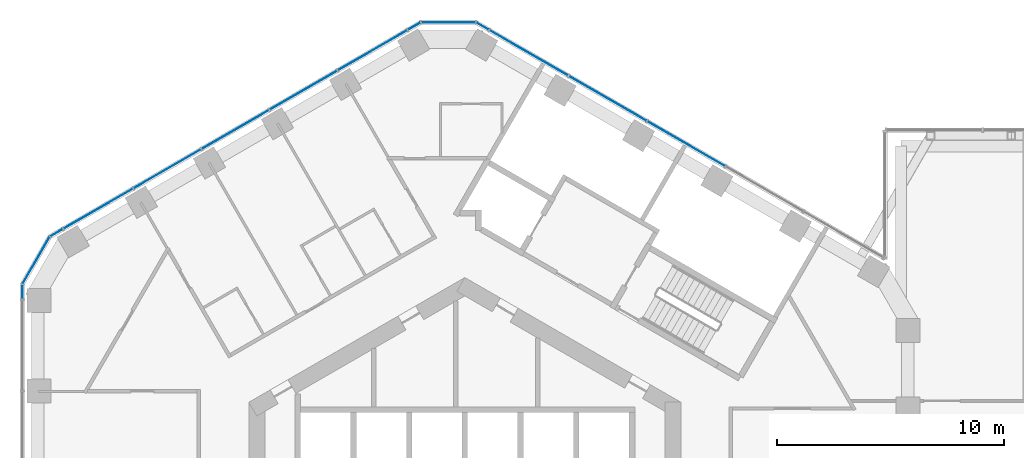
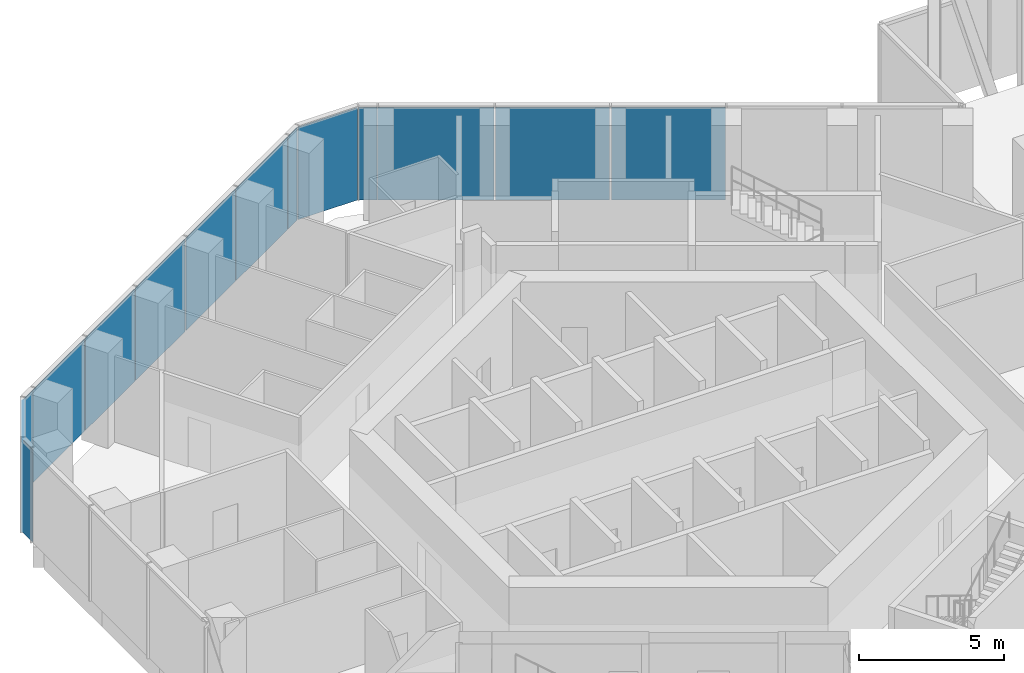
# One storey, part 16 of 24: 14 plates, 4 elements without a shape of their own.
"""IFC4 building model written with IfcOpenShell, lengths in metres."""

import ifcopenshell
import ifcopenshell.guid

model = None  # the IFC model being written
_history = None  # IfcOwnerHistory: only IFC2X3 demands one
_inside = {}  # id of a spatial element -> (the spatial element, [elements in it])
_under = {}  # id of a project, library or spatial element -> (it, [spatial elements below it])
_declared = {}  # id of a project -> (the project, [libraries it declares])
_typed = {}  # id of a type object -> (the type object, [elements of that type])
_made_of = {}  # id of a material, layer set ... -> (it, [elements and type objects made of it])


def new_model(schema):
    """Start an empty IFC model of exactly this schema.

    Asked for "IFC4X3", IfcOpenShell would pick the latest addendum, in which some entities
    have other attributes; the version numbers below select the first issue.
    IFC2X3 requires an IfcOwnerHistory on every rooted entity: one is made here for all.
    """
    global model, _history
    if schema == "IFC4X3":
        model = ifcopenshell.file(schema_version=(4, 3, 0, 0))
    else:
        model = ifcopenshell.file(schema=schema)
    _inside.clear()
    _under.clear()
    _declared.clear()
    _typed.clear()
    _made_of.clear()
    _history = None
    if model.schema == "IFC2X3":
        org = make("IfcOrganization", Name="unknown")
        user = make(
            "IfcPersonAndOrganization",
            ThePerson=make("IfcPerson", FamilyName="unknown"),
            TheOrganization=org,
        )
        app = make(
            "IfcApplication",
            ApplicationDeveloper=org,
            Version="unknown",
            ApplicationFullName="unknown",
            ApplicationIdentifier="unknown",
        )
        _history = make(
            "IfcOwnerHistory",
            OwningUser=user,
            OwningApplication=app,
            ChangeAction="ADDED",
            CreationDate=0,
        )
    return model


def make(cls, **values):
    """One entity of the class cls with the attributes given. An attribute that is None is left unset."""
    return model.create_entity(
        cls, **{name: value for name, value in values.items() if value is not None}
    )


def rooted(cls, **values):
    """An entity with a GlobalId (a new one), such as an element, a storey or a relation."""
    return make(cls, GlobalId=ifcopenshell.guid.new(), OwnerHistory=_history, **values)


def si_unit(unit_type, name, prefix=None):
    """IfcSIUnit, for example si_unit("LENGTHUNIT", "METRE", prefix="MILLI")."""
    return make("IfcSIUnit", UnitType=unit_type, Prefix=prefix, Name=name)


def assignment(units):
    """IfcUnitAssignment: the units of a project."""
    return None if units is None else make("IfcUnitAssignment", Units=units)


def point(xyz):
    """IfcCartesianPoint."""
    return None if xyz is None else make("IfcCartesianPoint", Coordinates=xyz)


def direction(xyz):
    """IfcDirection."""
    return None if xyz is None else make("IfcDirection", DirectionRatios=xyz)


def frame(location, z_axis=None, x_axis=None):
    """IfcAxis2Placement3D, a coordinate frame: its origin and axes. An axis left out is left unset."""
    return make(
        "IfcAxis2Placement3D",
        Location=point(location),
        Axis=direction(z_axis),
        RefDirection=direction(x_axis),
    )


def frame_2d(location, x_axis=None):
    """IfcAxis2Placement2D, a coordinate frame in the plane: its origin and x axis."""
    return make(
        "IfcAxis2Placement2D", Location=point(location), RefDirection=direction(x_axis)
    )


def origin():
    """The frame at (0, 0, 0) with its axes left unset."""
    return frame((0.0, 0.0, 0.0))


def origin_2d():
    """The frame at (0, 0) in the plane with its x axis left unset."""
    return frame_2d((0.0, 0.0))


def place(relative_to, where):
    """IfcLocalPlacement: puts the frame where relative to a parent placement (None: the world)."""
    return make(
        "IfcLocalPlacement", PlacementRelTo=relative_to, RelativePlacement=where
    )


def context(
    kind, dimensions, precision=None, world=None, true_north=None, identifier=None
):
    """IfcGeometricRepresentationContext, for example the 3D "Model" context."""
    return make(
        "IfcGeometricRepresentationContext",
        ContextIdentifier=identifier,
        ContextType=kind,
        CoordinateSpaceDimension=dimensions,
        Precision=precision,
        WorldCoordinateSystem=world,
        TrueNorth=true_north,
    )


def subcontext(parent, identifier, kind, view, scale=None):
    """IfcGeometricRepresentationSubContext, for example "Body" below "Model"."""
    return make(
        "IfcGeometricRepresentationSubContext",
        ContextIdentifier=identifier,
        ContextType=kind,
        ParentContext=parent,
        TargetScale=scale,
        TargetView=view,
    )


def project(units=None, contexts=None):
    """IfcProject with its units and contexts."""
    return rooted(
        "IfcProject",
        Name="project",
        RepresentationContexts=contexts,
        UnitsInContext=assignment(units),
    )


def spatial(cls, under=None, at=None, **own):
    """A site, building, storey or space (cls), placed at a placement, below another one or the project."""
    s = rooted(cls, ObjectPlacement=at, **own)
    if under is not None:
        _under.setdefault(under.id(), (under, []))[1].append(s)
    return s


def profile(cls, at=None, kind="AREA", **sizes):
    """A parametric profile (cls). Its sizes go by their IFC names, for example OverallWidth=200.0."""
    return make(cls, ProfileType=kind, Position=at, **sizes)


def rectangle(**sizes):
    """IfcRectangleProfileDef."""
    return profile("IfcRectangleProfileDef", **sizes)


def extrude(swept, where, along, depth):
    """IfcExtrudedAreaSolid: the profile swept, set in the frame where, extruded along a direction by depth."""
    return make(
        "IfcExtrudedAreaSolid",
        SweptArea=swept,
        Position=where,
        ExtrudedDirection=direction(along),
        Depth=depth,
    )


def shape(context_of_items, identifier, shape_type, items):
    """IfcShapeRepresentation: the items that make up one representation, for example the "Body"."""
    return make(
        "IfcShapeRepresentation",
        ContextOfItems=context_of_items,
        RepresentationIdentifier=identifier,
        RepresentationType=shape_type,
        Items=items,
    )


def material(Name=None, Category=None):
    """IfcMaterial."""
    return make("IfcMaterial", Name=Name, Category=Category)


def layer(
    of_material, thickness, ventilated=None, Name=None, Category=None, Priority=None
):
    """IfcMaterialLayer: one layer of a wall or slab, of a material (None: an air gap)."""
    return make(
        "IfcMaterialLayer",
        Material=of_material,
        LayerThickness=thickness,
        IsVentilated=ventilated,
        Name=Name,
        Category=Category,
        Priority=Priority,
    )


def layer_set(layers, Name=None):
    """IfcMaterialLayerSet."""
    return make("IfcMaterialLayerSet", MaterialLayers=layers, LayerSetName=Name)


def made_of(thing, what):
    """Note that an element or type object is made of a material, layer set ...; save() writes the relation."""
    if what is not None:
        _made_of.setdefault(what.id(), (what, []))[1].append(thing)
    return thing


def type_object(cls, material=None, **own):
    """A type object (cls), such as IfcWallType, which elements share."""
    return made_of(rooted(cls, **own), material)


def element(
    cls,
    number,
    at=None,
    inside=None,
    cuts=None,
    type_object=None,
    material=None,
    context=None,
    identifier="Body",
    shape_type=None,
    held_by="IfcProductDefinitionShape",
    body=None,
    shapes=None,
    **own,
):
    """One element of the class cls, such as IfcWall. Its Tag is "e" and its number.

    at: its placement. inside: the storey or other place that contains it. cuts: it is an
    opening in that element (IfcRelVoidsElement). A single representation is given by context,
    identifier, shape_type and body (its items); several are given by shapes. held_by: the class
    of the entity that holds the representations. save() writes the other relations.
    """
    e = rooted(cls, Tag="e%d" % number, ObjectPlacement=at, **own)
    if body is not None:
        shapes = [shape(context, identifier, shape_type, body)]
    if shapes is not None:
        e.Representation = make(held_by, Representations=shapes)
    if inside is not None:
        _inside.setdefault(inside.id(), (inside, []))[1].append(e)
    if cuts is not None:
        rooted(
            "IfcRelVoidsElement", RelatingBuildingElement=cuts, RelatedOpeningElement=e
        )
    if type_object is not None:
        _typed.setdefault(type_object.id(), (type_object, []))[1].append(e)
    return made_of(e, material)


def aggregate(whole, parts):
    """IfcRelAggregates: a whole, such as a stair, and the parts it consists of."""
    return rooted("IfcRelAggregates", RelatingObject=whole, RelatedObjects=parts)


def save(model, path):
    """Write the relations noted so far, then the file.

    IfcRelAggregates (storeys below a building ...), IfcRelContainedInSpatialStructure (elements
    in a storey), IfcRelDefinesByType, IfcRelAssociatesMaterial and IfcRelDeclares: one each for
    every whole, place, type object, material and project.
    """
    for whole, parts in _under.values():
        aggregate(whole, parts)
    for where, things in _inside.values():
        rooted(
            "IfcRelContainedInSpatialStructure",
            RelatedElements=things,
            RelatingStructure=where,
        )
    for kind, things in _typed.values():
        rooted("IfcRelDefinesByType", RelatedObjects=things, RelatingType=kind)
    for what, things in _made_of.values():
        rooted("IfcRelAssociatesMaterial", RelatedObjects=things, RelatingMaterial=what)
    for by, libraries in _declared.values():
        rooted("IfcRelDeclares", RelatingContext=by, RelatedDefinitions=libraries)
    model.write(path)


model = new_model("IFC4")

# Units and contexts
model_context = context("Model", 3, precision=1e-05, world=origin(), true_north=direction((0.0, 1.0)))
body_context = subcontext(model_context, "Body", "Model", "MODEL_VIEW")
ifc_project = project(units=[si_unit("LENGTHUNIT", "METRE"), si_unit("AREAUNIT", "SQUARE_METRE"), si_unit("VOLUMEUNIT", "CUBIC_METRE"), si_unit("PLANEANGLEUNIT", "RADIAN"), si_unit("MASSUNIT", "GRAM", prefix="KILO")], contexts=[model_context])

# Site, building, storey
site_placement = place(None, origin())
site = spatial("IfcSite", under=ifc_project, at=site_placement, CompositionType="ELEMENT")
building_placement = place(site_placement, origin())
building = spatial("IfcBuilding", under=site, at=building_placement, Name="Ayvan Gate Tower", CompositionType="ELEMENT")
storey_placement = place(building_placement, frame((0.0, 0.0, 124.5)))
storey = spatial("IfcBuildingStorey", under=building, at=storey_placement, Name="L33", CompositionType="ELEMENT", Elevation=124.5)

# Curtain wall, plates
ifc_material_1 = material(Name="Bronze anodised aluminium", Category="aluminium")
ifc_layer_1 = layer(ifc_material_1, 0.199951171875)
ifc_layer_set_1 = layer_set([ifc_layer_1], Name="Bronze anodised aluminium")
curtain_wall_type_1 = type_object("IfcCurtainWallType", Name="Stick curtain wall CW-1", PredefinedType="NOTDEFINED", material=ifc_layer_set_1)
curtain_wall_1_placement = place(storey_placement, origin())
curtain_wall_1 = element("IfcCurtainWall", 1, at=curtain_wall_1_placement, inside=storey, type_object=curtain_wall_type_1, Name="Stick curtain wall CW-1 L33", PredefinedType="NOTDEFINED")
ifc_material_2 = material(Name="Clear low-iron laminated glass", Category="glass")
ifc_layer_2 = layer(ifc_material_2, 0.028076171875)
ifc_layer_set_2 = layer_set([ifc_layer_2], Name="Clear low-iron laminated glass")
plate_type_1 = type_object("IfcPlateType", Name="Stick curtain wall CW-1 glass panel", PredefinedType="CURTAIN_PANEL", material=ifc_layer_set_2)
plate_1_placement = place(storey_placement, frame((9.731689453125, 16.855224609375, 0.0), z_axis=(0.0, 0.0, 1.0), x_axis=(-0.866025403784, 0.5, 0.0)))
plate_1 = element("IfcPlate", 2, at=plate_1_placement, type_object=plate_type_1, Name="CW-1 glass panel 3", PredefinedType="CURTAIN_PANEL", context=body_context, shape_type="SweptSolid", body=[
    extrude(rectangle(XDim=3.922119140625, YDim=0.028076171875, at=origin_2d()), origin(), (0.0, 0.0, 1.0), 3.8798828125),
])
plate_2_placement = place(storey_placement, frame((6.28271484375, 18.846435546875, 0.0), z_axis=(0.0, 0.0, 1.0), x_axis=(-0.866025403784, 0.5, 0.0)))
plate_2 = element("IfcPlate", 3, at=plate_2_placement, type_object=plate_type_1, Name="CW-1 glass panel 4", PredefinedType="CURTAIN_PANEL", context=body_context, shape_type="SweptSolid", body=[
    extrude(rectangle(XDim=3.923095703125, YDim=0.028076171875, at=origin_2d()), origin(), (0.0, 0.0, 1.0), 3.8798828125),
])
plate_3_placement = place(storey_placement, frame((2.802734375, 20.855712890625, 0.0), z_axis=(0.0, 0.0, 1.0), x_axis=(-0.866025403784, 0.5, 0.0)))
plate_3 = element("IfcPlate", 4, at=plate_3_placement, type_object=plate_type_1, Name="CW-1 glass panel 5", PredefinedType="CURTAIN_PANEL", context=body_context, shape_type="SweptSolid", body=[
    extrude(rectangle(XDim=3.99365234375, YDim=0.028076171875, at=origin_2d()), origin(), (0.0, 0.0, 1.0), 3.8798828125),
])
aggregate(curtain_wall_1, [plate_1, plate_2, plate_3])

curtain_wall_2_placement = place(storey_placement, origin())
curtain_wall_2 = element("IfcCurtainWall", 5, at=curtain_wall_2_placement, inside=storey, type_object=curtain_wall_type_1, Name="Stick curtain wall CW-1 L33", PredefinedType="NOTDEFINED")
plate_4_placement = place(storey_placement, frame((-4.04736328125, 20.971435546875, 0.0), z_axis=(0.0, 0.0, 1.0), x_axis=(-0.866025403784, -0.5, 0.0)))
plate_4 = element("IfcPlate", 6, at=plate_4_placement, type_object=plate_type_1, Name="CW-1 glass panel 1", PredefinedType="CURTAIN_PANEL", context=body_context, shape_type="SweptSolid", body=[
    extrude(rectangle(XDim=3.530029296875, YDim=0.028076171875, at=origin_2d()), origin(), (0.0, 0.0, 1.0), 3.8798828125),
])
plate_5_placement = place(storey_placement, frame((-7.098876953125, 19.209716796875, 0.0), z_axis=(0.0, 0.0, 1.0), x_axis=(-0.866025403784, -0.5, 0.0)))
plate_5 = element("IfcPlate", 7, at=plate_5_placement, type_object=plate_type_1, Name="CW-1 glass panel 2", PredefinedType="CURTAIN_PANEL", context=body_context, shape_type="SweptSolid", body=[
    extrude(rectangle(XDim=3.39697265625, YDim=0.028076171875, at=origin_2d()), origin(), (0.0, 0.0, 1.0), 3.8798828125),
])
plate_6_placement = place(storey_placement, frame((-10.092529296875, 17.481201171875, 0.0), z_axis=(0.0, 0.0, 1.0), x_axis=(-0.866025403784, -0.5, 0.0)))
plate_6 = element("IfcPlate", 8, at=plate_6_placement, type_object=plate_type_1, Name="CW-1 glass panel 3", PredefinedType="CURTAIN_PANEL", context=body_context, shape_type="SweptSolid", body=[
    extrude(rectangle(XDim=3.39697265625, YDim=0.028076171875, at=origin_2d()), origin(), (0.0, 0.0, 1.0), 3.8798828125),
])
plate_7_placement = place(storey_placement, frame((-13.0869140625, 15.75244140625, 0.0), z_axis=(0.0, 0.0, 1.0), x_axis=(-0.866025403784, -0.5, 0.0)))
plate_7 = element("IfcPlate", 9, at=plate_7_placement, type_object=plate_type_1, Name="CW-1 glass panel 4", PredefinedType="CURTAIN_PANEL", context=body_context, shape_type="SweptSolid", body=[
    extrude(rectangle(XDim=3.39794921875, YDim=0.028076171875, at=origin_2d()), origin(), (0.0, 0.0, 1.0), 3.8798828125),
])
plate_8_placement = place(storey_placement, frame((-16.138427734375, 13.99072265625, 0.0), z_axis=(0.0, 0.0, 1.0), x_axis=(-0.866025403784, -0.5, 0.0)))
plate_8 = element("IfcPlate", 10, at=plate_8_placement, type_object=plate_type_1, Name="CW-1 glass panel 5", PredefinedType="CURTAIN_PANEL", context=body_context, shape_type="SweptSolid", body=[
    extrude(rectangle(XDim=3.529296875, YDim=0.028076171875, at=origin_2d()), origin(), (0.0, 0.0, 1.0), 3.8798828125),
])
aggregate(curtain_wall_2, [plate_4, plate_5, plate_6, plate_7, plate_8])

ifc_layer_3 = layer(ifc_material_1, 0.199951171875)
ifc_layer_set_3 = layer_set([ifc_layer_3], Name="Bronze anodised aluminium")
curtain_wall_type_2 = type_object("IfcCurtainWallType", Name="Stick curtain wall CW-6", PredefinedType="NOTDEFINED", material=ifc_layer_set_3)
curtain_wall_3_placement = place(storey_placement, origin())
curtain_wall_3 = element("IfcCurtainWall", 11, at=curtain_wall_3_placement, inside=storey, type_object=curtain_wall_type_2, Name="Stick curtain wall CW-6 L33", PredefinedType="NOTDEFINED")
ifc_layer_4 = layer(ifc_material_2, 0.028076171875)
ifc_layer_set_4 = layer_set([ifc_layer_4], Name="Clear low-iron laminated glass")
plate_type_2 = type_object("IfcPlateType", Name="Stick curtain wall CW-6 glass panel", PredefinedType="CURTAIN_PANEL", material=ifc_layer_set_4)
plate_9_placement = place(storey_placement, frame((0.77685546875, 22.025390625, 0.0), z_axis=(0.0, 0.0, 1.0), x_axis=(-0.866025403784, 0.5, 0.0)))
plate_9 = element("IfcPlate", 12, at=plate_9_placement, type_object=plate_type_2, Name="CW-6 glass panel 1", PredefinedType="CURTAIN_PANEL", context=body_context, shape_type="SweptSolid", body=[
    extrude(rectangle(XDim=0.625, YDim=0.028076171875, at=origin_2d()), origin(), (0.0, 0.0, 1.0), 3.8798828125),
])
plate_10_placement = place(storey_placement, frame((-0.72265625, 22.194091796875, 0.0), z_axis=(0.0, 0.0, 1.0), x_axis=(-1.0, 0.0, 0.0)))
plate_10 = element("IfcPlate", 13, at=plate_10_placement, type_object=plate_type_2, Name="CW-6 glass panel 2", PredefinedType="CURTAIN_PANEL", context=body_context, shape_type="SweptSolid", body=[
    extrude(rectangle(XDim=2.364501953125, YDim=0.028076171875, at=origin_2d()), origin(), (0.0, 0.0, 1.0), 3.8798828125),
])
plate_11_placement = place(storey_placement, frame((-2.22216796875, 22.025390625, 0.0), z_axis=(0.0, 0.0, 1.0), x_axis=(-0.866025403784, -0.5, 0.0)))
plate_11 = element("IfcPlate", 14, at=plate_11_placement, type_object=plate_type_2, Name="CW-6 glass panel 3", PredefinedType="CURTAIN_PANEL", context=body_context, shape_type="SweptSolid", body=[
    extrude(rectangle(XDim=0.625, YDim=0.028076171875, at=origin_2d()), origin(), (0.0, 0.0, 1.0), 3.8798828125),
])
aggregate(curtain_wall_3, [plate_9, plate_10, plate_11])

curtain_wall_4_placement = place(storey_placement, origin())
curtain_wall_4 = element("IfcCurtainWall", 15, at=curtain_wall_4_placement, inside=storey, type_object=curtain_wall_type_2, Name="Stick curtain wall CW-6 L33", PredefinedType="NOTDEFINED")
plate_12_placement = place(storey_placement, frame((-17.96337890625, 12.93701171875, 0.0), z_axis=(0.0, 0.0, 1.0), x_axis=(-0.866025403784, -0.5, 0.0)))
plate_12 = element("IfcPlate", 16, at=plate_12_placement, type_object=plate_type_2, Name="CW-6 glass panel 1", PredefinedType="CURTAIN_PANEL", context=body_context, shape_type="SweptSolid", body=[
    extrude(rectangle(XDim=0.625, YDim=0.028076171875, at=origin_2d()), origin(), (0.0, 0.0, 1.0), 3.8798828125),
])
plate_13_placement = place(storey_placement, frame((-18.859375, 11.722900390625, 0.0), z_axis=(0.0, 0.0, 1.0), x_axis=(-0.5, -0.866025403784, 0.0)))
plate_13 = element("IfcPlate", 17, at=plate_13_placement, type_object=plate_type_2, Name="CW-6 glass panel 2", PredefinedType="CURTAIN_PANEL", context=body_context, shape_type="SweptSolid", body=[
    extrude(rectangle(XDim=2.364501953125, YDim=0.028076171875, at=origin_2d()), origin(), (0.0, 0.0, 1.0), 3.8798828125),
])
plate_14_placement = place(storey_placement, frame((-19.462890625, 10.33984375, 0.0), z_axis=(0.0, 0.0, 1.0), x_axis=(0.0, -1.0, 0.0)))
plate_14 = element("IfcPlate", 18, at=plate_14_placement, type_object=plate_type_2, Name="CW-6 glass panel 3", PredefinedType="CURTAIN_PANEL", context=body_context, shape_type="SweptSolid", body=[
    extrude(rectangle(XDim=0.625, YDim=0.028076171875, at=origin_2d()), origin(), (0.0, 0.0, 1.0), 3.8798828125),
])
aggregate(curtain_wall_4, [plate_12, plate_13, plate_14])

save(model, "model.ifc")
